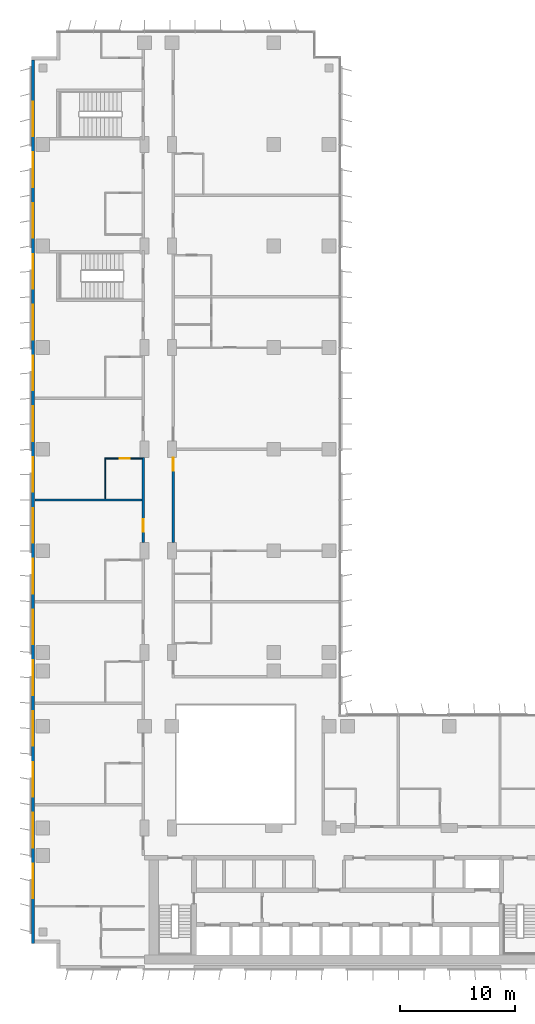
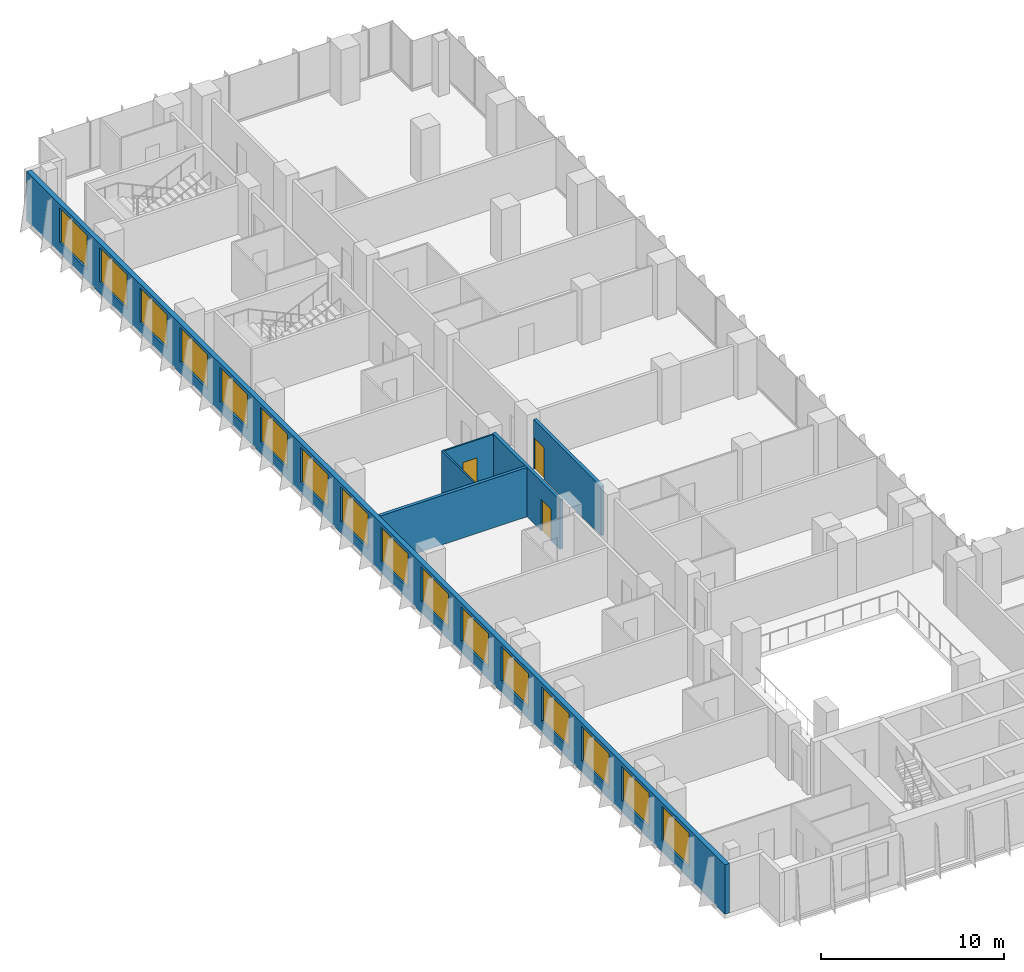
# One storey, part 15 of 22: 16 windows, 6 walls, 3 doors, 19 openings.
"""IFC4 building model written with IfcOpenShell, lengths in metres."""

from ifc_helpers import new_model, si_unit, direction, frame, frame_2d, origin, place, context, subcontext, project, spatial, rectangle, extrude, material, layer, layer_set, type_object, element, fill, save


model = new_model("IFC4")

# Units and contexts
model_context = context("Model", 3, precision=1e-05, world=origin(), true_north=direction((0.0, 1.0)))
body_context = subcontext(model_context, "Body", "Model", "MODEL_VIEW")
ifc_project = project(units=[si_unit("LENGTHUNIT", "METRE"), si_unit("AREAUNIT", "SQUARE_METRE"), si_unit("VOLUMEUNIT", "CUBIC_METRE"), si_unit("PLANEANGLEUNIT", "RADIAN"), si_unit("MASSUNIT", "GRAM", prefix="KILO")], contexts=[model_context])

# Site, building, storey
site_placement = place(None, origin())
site = spatial("IfcSite", under=ifc_project, at=site_placement, CompositionType="ELEMENT")
building_placement = place(site_placement, origin())
building = spatial("IfcBuilding", under=site, at=building_placement, Name="Kemantara Hotel Tower", CompositionType="ELEMENT")
storey_placement = place(building_placement, frame((0.0, 0.0, 98.199951171875)))
storey = spatial("IfcBuildingStorey", under=building, at=storey_placement, Name="L23", CompositionType="ELEMENT", Elevation=98.199951171875)

# Wall, openings, windows
ifc_material_1 = material(Name="Bronze anodised aluminium cladding on insulated steel stud wall", Category="steel")
ifc_layer_1 = layer(ifc_material_1, 0.300048828125)
ifc_layer_set_1 = layer_set([ifc_layer_1], Name="Bronze anodised aluminium cladding on insulated steel stud wall")
wall_type_1 = type_object("IfcWallType", Name="BRONZE METAL-CLAD EXTERNAL WALL 300", PredefinedType="STANDARD", material=ifc_layer_set_1)
wall_1_placement = place(storey_placement, frame((0.14990234375, 78.699951171875, 0.0), z_axis=(0.0, 0.0, 1.0), x_axis=(0.0, -1.0, 0.0)))
wall_1 = element("IfcWall", 1, at=wall_1_placement, inside=storey, type_object=wall_type_1, Name="EXTERNAL WALL L23 T2-R04", PredefinedType="STANDARD", context=body_context, shape_type="SweptSolid", body=[
    extrude(rectangle(XDim=76.5, YDim=0.300048828125, at=frame_2d((38.25, 0.0))), origin(), (0.0, 0.0, 1.0), 3.300048828125),
])
opening_1_placement = place(wall_1_placement, frame((3.60009765625, 0.0, 0.75)))
opening_1 = element("IfcOpeningElement", 2, at=opening_1_placement, cuts=wall_1, Name="Opening W1", PredefinedType="OPENING", context=body_context, shape_type="SweptSolid", body=[
    extrude(rectangle(XDim=3.0, YDim=2.300048828125, at=frame_2d((1.5, 1.14990234375))), frame((0.0, 0.159912109375, 0.0), z_axis=(0.0, -1.0, 0.0), x_axis=(1.0, 0.0, 0.0)), (0.0, 0.0, 1.0), 0.320068359375),
])
opening_2_placement = place(wall_1_placement, frame((8.0, 0.0, 0.75)))
opening_2 = element("IfcOpeningElement", 3, at=opening_2_placement, cuts=wall_1, Name="Opening W1", PredefinedType="OPENING", context=body_context, shape_type="SweptSolid", body=[
    extrude(rectangle(XDim=3.0, YDim=2.300048828125, at=frame_2d((1.5, 1.14990234375))), frame((0.0, 0.159912109375, 0.0), z_axis=(0.0, -1.0, 0.0), x_axis=(1.0, 0.0, 0.0)), (0.0, 0.0, 1.0), 0.320068359375),
])
opening_3_placement = place(wall_1_placement, frame((12.39990234375, 0.0, 0.75)))
opening_3 = element("IfcOpeningElement", 4, at=opening_3_placement, cuts=wall_1, Name="Opening W1", PredefinedType="OPENING", context=body_context, shape_type="SweptSolid", body=[
    extrude(rectangle(XDim=3.0, YDim=2.300048828125, at=frame_2d((1.5, 1.14990234375))), frame((0.0, 0.159912109375, 0.0), z_axis=(0.0, -1.0, 0.0), x_axis=(1.0, 0.0, 0.0)), (0.0, 0.0, 1.0), 0.320068359375),
])
opening_4_placement = place(wall_1_placement, frame((16.800048828125, 0.0, 0.75)))
opening_4 = element("IfcOpeningElement", 5, at=opening_4_placement, cuts=wall_1, Name="Opening W1", PredefinedType="OPENING", context=body_context, shape_type="SweptSolid", body=[
    extrude(rectangle(XDim=3.0, YDim=2.300048828125, at=frame_2d((1.5, 1.14990234375))), frame((0.0, 0.159912109375, 0.0), z_axis=(0.0, -1.0, 0.0), x_axis=(1.0, 0.0, 0.0)), (0.0, 0.0, 1.0), 0.320068359375),
])
opening_5_placement = place(wall_1_placement, frame((21.199951171875, 0.0, 0.75)))
opening_5 = element("IfcOpeningElement", 6, at=opening_5_placement, cuts=wall_1, Name="Opening W1", PredefinedType="OPENING", context=body_context, shape_type="SweptSolid", body=[
    extrude(rectangle(XDim=3.0, YDim=2.300048828125, at=frame_2d((1.5, 1.14990234375))), frame((0.0, 0.159912109375, 0.0), z_axis=(0.0, -1.0, 0.0), x_axis=(1.0, 0.0, 0.0)), (0.0, 0.0, 1.0), 0.320068359375),
])
opening_6_placement = place(wall_1_placement, frame((25.60009765625, 0.0, 0.75)))
opening_6 = element("IfcOpeningElement", 7, at=opening_6_placement, cuts=wall_1, Name="Opening W1", PredefinedType="OPENING", context=body_context, shape_type="SweptSolid", body=[
    extrude(rectangle(XDim=3.0, YDim=2.300048828125, at=frame_2d((1.5, 1.14990234375))), frame((0.0, 0.159912109375, 0.0), z_axis=(0.0, -1.0, 0.0), x_axis=(1.0, 0.0, 0.0)), (0.0, 0.0, 1.0), 0.320068359375),
])
opening_7_placement = place(wall_1_placement, frame((30.0, 0.0, 0.75)))
opening_7 = element("IfcOpeningElement", 8, at=opening_7_placement, cuts=wall_1, Name="Opening W1", PredefinedType="OPENING", context=body_context, shape_type="SweptSolid", body=[
    extrude(rectangle(XDim=3.0, YDim=2.300048828125, at=frame_2d((1.5, 1.14990234375))), frame((0.0, 0.159912109375, 0.0), z_axis=(0.0, -1.0, 0.0), x_axis=(1.0, 0.0, 0.0)), (0.0, 0.0, 1.0), 0.320068359375),
])
opening_8_placement = place(wall_1_placement, frame((34.39990234375, 0.0, 0.75)))
opening_8 = element("IfcOpeningElement", 9, at=opening_8_placement, cuts=wall_1, Name="Opening W1", PredefinedType="OPENING", context=body_context, shape_type="SweptSolid", body=[
    extrude(rectangle(XDim=3.0, YDim=2.300048828125, at=frame_2d((1.5, 1.14990234375))), frame((0.0, 0.159912109375, 0.0), z_axis=(0.0, -1.0, 0.0), x_axis=(1.0, 0.0, 0.0)), (0.0, 0.0, 1.0), 0.320068359375),
])
opening_9_placement = place(wall_1_placement, frame((38.800048828125, 0.0, 0.75)))
opening_9 = element("IfcOpeningElement", 10, at=opening_9_placement, cuts=wall_1, Name="Opening W1", PredefinedType="OPENING", context=body_context, shape_type="SweptSolid", body=[
    extrude(rectangle(XDim=3.0, YDim=2.300048828125, at=frame_2d((1.5, 1.14990234375))), frame((0.0, 0.159912109375, 0.0), z_axis=(0.0, -1.0, 0.0), x_axis=(1.0, 0.0, 0.0)), (0.0, 0.0, 1.0), 0.320068359375),
])
opening_10_placement = place(wall_1_placement, frame((43.199951171875, 0.0, 0.75)))
opening_10 = element("IfcOpeningElement", 11, at=opening_10_placement, cuts=wall_1, Name="Opening W1", PredefinedType="OPENING", context=body_context, shape_type="SweptSolid", body=[
    extrude(rectangle(XDim=3.0, YDim=2.300048828125, at=frame_2d((1.5, 1.14990234375))), frame((0.0, 0.159912109375, 0.0), z_axis=(0.0, -1.0, 0.0), x_axis=(1.0, 0.0, 0.0)), (0.0, 0.0, 1.0), 0.320068359375),
])
opening_11_placement = place(wall_1_placement, frame((47.60009765625, 0.0, 0.75)))
opening_11 = element("IfcOpeningElement", 12, at=opening_11_placement, cuts=wall_1, Name="Opening W1", PredefinedType="OPENING", context=body_context, shape_type="SweptSolid", body=[
    extrude(rectangle(XDim=3.0, YDim=2.300048828125, at=frame_2d((1.5, 1.14990234375))), frame((0.0, 0.159912109375, 0.0), z_axis=(0.0, -1.0, 0.0), x_axis=(1.0, 0.0, 0.0)), (0.0, 0.0, 1.0), 0.320068359375),
])
opening_12_placement = place(wall_1_placement, frame((52.0, 0.0, 0.75)))
opening_12 = element("IfcOpeningElement", 13, at=opening_12_placement, cuts=wall_1, Name="Opening W1", PredefinedType="OPENING", context=body_context, shape_type="SweptSolid", body=[
    extrude(rectangle(XDim=3.0, YDim=2.300048828125, at=frame_2d((1.5, 1.14990234375))), frame((0.0, 0.159912109375, 0.0), z_axis=(0.0, -1.0, 0.0), x_axis=(1.0, 0.0, 0.0)), (0.0, 0.0, 1.0), 0.320068359375),
])
opening_13_placement = place(wall_1_placement, frame((56.39990234375, 0.0, 0.75)))
opening_13 = element("IfcOpeningElement", 14, at=opening_13_placement, cuts=wall_1, Name="Opening W1", PredefinedType="OPENING", context=body_context, shape_type="SweptSolid", body=[
    extrude(rectangle(XDim=3.0, YDim=2.300048828125, at=frame_2d((1.5, 1.14990234375))), frame((0.0, 0.159912109375, 0.0), z_axis=(0.0, -1.0, 0.0), x_axis=(1.0, 0.0, 0.0)), (0.0, 0.0, 1.0), 0.320068359375),
])
opening_14_placement = place(wall_1_placement, frame((60.800048828125, 0.0, 0.75)))
opening_14 = element("IfcOpeningElement", 15, at=opening_14_placement, cuts=wall_1, Name="Opening W1", PredefinedType="OPENING", context=body_context, shape_type="SweptSolid", body=[
    extrude(rectangle(XDim=3.0, YDim=2.300048828125, at=frame_2d((1.5, 1.14990234375))), frame((0.0, 0.159912109375, 0.0), z_axis=(0.0, -1.0, 0.0), x_axis=(1.0, 0.0, 0.0)), (0.0, 0.0, 1.0), 0.320068359375),
])
opening_15_placement = place(wall_1_placement, frame((65.199951171875, 0.0, 0.75)))
opening_15 = element("IfcOpeningElement", 16, at=opening_15_placement, cuts=wall_1, Name="Opening W1", PredefinedType="OPENING", context=body_context, shape_type="SweptSolid", body=[
    extrude(rectangle(XDim=3.0, YDim=2.300048828125, at=frame_2d((1.5, 1.14990234375))), frame((0.0, 0.159912109375, 0.0), z_axis=(0.0, -1.0, 0.0), x_axis=(1.0, 0.0, 0.0)), (0.0, 0.0, 1.0), 0.320068359375),
])
opening_16_placement = place(wall_1_placement, frame((69.60009765625, 0.0, 0.75)))
opening_16 = element("IfcOpeningElement", 17, at=opening_16_placement, cuts=wall_1, Name="Opening W1", PredefinedType="OPENING", context=body_context, shape_type="SweptSolid", body=[
    extrude(rectangle(XDim=3.0, YDim=2.300048828125, at=frame_2d((1.5, 1.14990234375))), frame((0.0, 0.159912109375, 0.0), z_axis=(0.0, -1.0, 0.0), x_axis=(1.0, 0.0, 0.0)), (0.0, 0.0, 1.0), 0.320068359375),
])
ifc_material_2 = material(Name="Low-E tinted double insulated glass in bronze anodised aluminium frame", Category="aluminium")
window_type = type_object("IfcWindowType", Name="CHICAGO WINDOW, TRIPLE PANEL 3000x2300", PartitioningType="TRIPLE_PANEL_VERTICAL", PredefinedType="WINDOW", material=ifc_material_2)
window_1_placement = place(opening_1_placement, origin())
window_1 = element("IfcWindow", 18, at=window_1_placement, inside=storey, type_object=window_type, Name="CHICAGO WINDOW L23 T2-R04-54", OverallHeight=2.300048828125, OverallWidth=3.0, PartitioningType="SINGLE_PANEL", PredefinedType="WINDOW", context=body_context, shape_type="SweptSolid", body=[
    extrude(rectangle(XDim=3.0, YDim=2.300048828125, at=frame_2d((1.5, 1.14990234375))), frame((0.0, 0.030029296875, 0.0), z_axis=(0.0, -1.0, 0.0), x_axis=(1.0, 0.0, 0.0)), (0.0, 0.0, 1.0), 0.06005859375),
])
fill(opening_1, window_1)
window_2_placement = place(opening_2_placement, origin())
window_2 = element("IfcWindow", 19, at=window_2_placement, inside=storey, type_object=window_type, Name="CHICAGO WINDOW L23 T2-R04-98", OverallHeight=2.300048828125, OverallWidth=3.0, PartitioningType="SINGLE_PANEL", PredefinedType="WINDOW", context=body_context, shape_type="SweptSolid", body=[
    extrude(rectangle(XDim=3.0, YDim=2.300048828125, at=frame_2d((1.5, 1.14990234375))), frame((0.0, 0.030029296875, 0.0), z_axis=(0.0, -1.0, 0.0), x_axis=(1.0, 0.0, 0.0)), (0.0, 0.0, 1.0), 0.06005859375),
])
fill(opening_2, window_2)
window_3_placement = place(opening_3_placement, origin())
window_3 = element("IfcWindow", 20, at=window_3_placement, inside=storey, type_object=window_type, Name="CHICAGO WINDOW L23 T2-R04-142", OverallHeight=2.300048828125, OverallWidth=3.0, PartitioningType="SINGLE_PANEL", PredefinedType="WINDOW", context=body_context, shape_type="SweptSolid", body=[
    extrude(rectangle(XDim=3.0, YDim=2.300048828125, at=frame_2d((1.5, 1.14990234375))), frame((0.0, 0.030029296875, 0.0), z_axis=(0.0, -1.0, 0.0), x_axis=(1.0, 0.0, 0.0)), (0.0, 0.0, 1.0), 0.06005859375),
])
fill(opening_3, window_3)
window_4_placement = place(opening_4_placement, origin())
window_4 = element("IfcWindow", 21, at=window_4_placement, inside=storey, type_object=window_type, Name="CHICAGO WINDOW L23 T2-R04-186", OverallHeight=2.300048828125, OverallWidth=3.0, PartitioningType="SINGLE_PANEL", PredefinedType="WINDOW", context=body_context, shape_type="SweptSolid", body=[
    extrude(rectangle(XDim=3.0, YDim=2.300048828125, at=frame_2d((1.5, 1.14990234375))), frame((0.0, 0.030029296875, 0.0), z_axis=(0.0, -1.0, 0.0), x_axis=(1.0, 0.0, 0.0)), (0.0, 0.0, 1.0), 0.06005859375),
])
fill(opening_4, window_4)
window_5_placement = place(opening_5_placement, origin())
window_5 = element("IfcWindow", 22, at=window_5_placement, inside=storey, type_object=window_type, Name="CHICAGO WINDOW L23 T2-R04-230", OverallHeight=2.300048828125, OverallWidth=3.0, PartitioningType="SINGLE_PANEL", PredefinedType="WINDOW", context=body_context, shape_type="SweptSolid", body=[
    extrude(rectangle(XDim=3.0, YDim=2.300048828125, at=frame_2d((1.5, 1.14990234375))), frame((0.0, 0.030029296875, 0.0), z_axis=(0.0, -1.0, 0.0), x_axis=(1.0, 0.0, 0.0)), (0.0, 0.0, 1.0), 0.06005859375),
])
fill(opening_5, window_5)
window_6_placement = place(opening_6_placement, origin())
window_6 = element("IfcWindow", 23, at=window_6_placement, inside=storey, type_object=window_type, Name="CHICAGO WINDOW L23 T2-R04-274", OverallHeight=2.300048828125, OverallWidth=3.0, PartitioningType="SINGLE_PANEL", PredefinedType="WINDOW", context=body_context, shape_type="SweptSolid", body=[
    extrude(rectangle(XDim=3.0, YDim=2.300048828125, at=frame_2d((1.5, 1.14990234375))), frame((0.0, 0.030029296875, 0.0), z_axis=(0.0, -1.0, 0.0), x_axis=(1.0, 0.0, 0.0)), (0.0, 0.0, 1.0), 0.06005859375),
])
fill(opening_6, window_6)
window_7_placement = place(opening_7_placement, origin())
window_7 = element("IfcWindow", 24, at=window_7_placement, inside=storey, type_object=window_type, Name="CHICAGO WINDOW L23 T2-R04-318", OverallHeight=2.300048828125, OverallWidth=3.0, PartitioningType="SINGLE_PANEL", PredefinedType="WINDOW", context=body_context, shape_type="SweptSolid", body=[
    extrude(rectangle(XDim=3.0, YDim=2.300048828125, at=frame_2d((1.5, 1.14990234375))), frame((0.0, 0.030029296875, 0.0), z_axis=(0.0, -1.0, 0.0), x_axis=(1.0, 0.0, 0.0)), (0.0, 0.0, 1.0), 0.06005859375),
])
fill(opening_7, window_7)
window_8_placement = place(opening_8_placement, origin())
window_8 = element("IfcWindow", 25, at=window_8_placement, inside=storey, type_object=window_type, Name="CHICAGO WINDOW L23 T2-R04-362", OverallHeight=2.300048828125, OverallWidth=3.0, PartitioningType="SINGLE_PANEL", PredefinedType="WINDOW", context=body_context, shape_type="SweptSolid", body=[
    extrude(rectangle(XDim=3.0, YDim=2.300048828125, at=frame_2d((1.5, 1.14990234375))), frame((0.0, 0.030029296875, 0.0), z_axis=(0.0, -1.0, 0.0), x_axis=(1.0, 0.0, 0.0)), (0.0, 0.0, 1.0), 0.06005859375),
])
fill(opening_8, window_8)
window_9_placement = place(opening_9_placement, origin())
window_9 = element("IfcWindow", 26, at=window_9_placement, inside=storey, type_object=window_type, Name="CHICAGO WINDOW L23 T2-R04-406", OverallHeight=2.300048828125, OverallWidth=3.0, PartitioningType="SINGLE_PANEL", PredefinedType="WINDOW", context=body_context, shape_type="SweptSolid", body=[
    extrude(rectangle(XDim=3.0, YDim=2.300048828125, at=frame_2d((1.5, 1.14990234375))), frame((0.0, 0.030029296875, 0.0), z_axis=(0.0, -1.0, 0.0), x_axis=(1.0, 0.0, 0.0)), (0.0, 0.0, 1.0), 0.06005859375),
])
fill(opening_9, window_9)
window_10_placement = place(opening_10_placement, origin())
window_10 = element("IfcWindow", 27, at=window_10_placement, inside=storey, type_object=window_type, Name="CHICAGO WINDOW L23 T2-R04-450", OverallHeight=2.300048828125, OverallWidth=3.0, PartitioningType="SINGLE_PANEL", PredefinedType="WINDOW", context=body_context, shape_type="SweptSolid", body=[
    extrude(rectangle(XDim=3.0, YDim=2.300048828125, at=frame_2d((1.5, 1.14990234375))), frame((0.0, 0.030029296875, 0.0), z_axis=(0.0, -1.0, 0.0), x_axis=(1.0, 0.0, 0.0)), (0.0, 0.0, 1.0), 0.06005859375),
])
fill(opening_10, window_10)
window_11_placement = place(opening_11_placement, origin())
window_11 = element("IfcWindow", 28, at=window_11_placement, inside=storey, type_object=window_type, Name="CHICAGO WINDOW L23 T2-R04-494", OverallHeight=2.300048828125, OverallWidth=3.0, PartitioningType="SINGLE_PANEL", PredefinedType="WINDOW", context=body_context, shape_type="SweptSolid", body=[
    extrude(rectangle(XDim=3.0, YDim=2.300048828125, at=frame_2d((1.5, 1.14990234375))), frame((0.0, 0.030029296875, 0.0), z_axis=(0.0, -1.0, 0.0), x_axis=(1.0, 0.0, 0.0)), (0.0, 0.0, 1.0), 0.06005859375),
])
fill(opening_11, window_11)
window_12_placement = place(opening_12_placement, origin())
window_12 = element("IfcWindow", 29, at=window_12_placement, inside=storey, type_object=window_type, Name="CHICAGO WINDOW L23 T2-R04-538", OverallHeight=2.300048828125, OverallWidth=3.0, PartitioningType="SINGLE_PANEL", PredefinedType="WINDOW", context=body_context, shape_type="SweptSolid", body=[
    extrude(rectangle(XDim=3.0, YDim=2.300048828125, at=frame_2d((1.5, 1.14990234375))), frame((0.0, 0.030029296875, 0.0), z_axis=(0.0, -1.0, 0.0), x_axis=(1.0, 0.0, 0.0)), (0.0, 0.0, 1.0), 0.06005859375),
])
fill(opening_12, window_12)
window_13_placement = place(opening_13_placement, origin())
window_13 = element("IfcWindow", 30, at=window_13_placement, inside=storey, type_object=window_type, Name="CHICAGO WINDOW L23 T2-R04-582", OverallHeight=2.300048828125, OverallWidth=3.0, PartitioningType="SINGLE_PANEL", PredefinedType="WINDOW", context=body_context, shape_type="SweptSolid", body=[
    extrude(rectangle(XDim=3.0, YDim=2.300048828125, at=frame_2d((1.5, 1.14990234375))), frame((0.0, 0.030029296875, 0.0), z_axis=(0.0, -1.0, 0.0), x_axis=(1.0, 0.0, 0.0)), (0.0, 0.0, 1.0), 0.06005859375),
])
fill(opening_13, window_13)
window_14_placement = place(opening_14_placement, origin())
window_14 = element("IfcWindow", 31, at=window_14_placement, inside=storey, type_object=window_type, Name="CHICAGO WINDOW L23 T2-R04-626", OverallHeight=2.300048828125, OverallWidth=3.0, PartitioningType="SINGLE_PANEL", PredefinedType="WINDOW", context=body_context, shape_type="SweptSolid", body=[
    extrude(rectangle(XDim=3.0, YDim=2.300048828125, at=frame_2d((1.5, 1.14990234375))), frame((0.0, 0.030029296875, 0.0), z_axis=(0.0, -1.0, 0.0), x_axis=(1.0, 0.0, 0.0)), (0.0, 0.0, 1.0), 0.06005859375),
])
fill(opening_14, window_14)
window_15_placement = place(opening_15_placement, origin())
window_15 = element("IfcWindow", 32, at=window_15_placement, inside=storey, type_object=window_type, Name="CHICAGO WINDOW L23 T2-R04-670", OverallHeight=2.300048828125, OverallWidth=3.0, PartitioningType="SINGLE_PANEL", PredefinedType="WINDOW", context=body_context, shape_type="SweptSolid", body=[
    extrude(rectangle(XDim=3.0, YDim=2.300048828125, at=frame_2d((1.5, 1.14990234375))), frame((0.0, 0.030029296875, 0.0), z_axis=(0.0, -1.0, 0.0), x_axis=(1.0, 0.0, 0.0)), (0.0, 0.0, 1.0), 0.06005859375),
])
fill(opening_15, window_15)
window_16_placement = place(opening_16_placement, origin())
window_16 = element("IfcWindow", 33, at=window_16_placement, inside=storey, type_object=window_type, Name="CHICAGO WINDOW L23 T2-R04-714", OverallHeight=2.300048828125, OverallWidth=3.0, PartitioningType="SINGLE_PANEL", PredefinedType="WINDOW", context=body_context, shape_type="SweptSolid", body=[
    extrude(rectangle(XDim=3.0, YDim=2.300048828125, at=frame_2d((1.5, 1.14990234375))), frame((0.0, 0.030029296875, 0.0), z_axis=(0.0, -1.0, 0.0), x_axis=(1.0, 0.0, 0.0)), (0.0, 0.0, 1.0), 0.06005859375),
])
fill(opening_16, window_16)

# Wall, opening, door
ifc_material_3 = material(Name="Gypsum board partition, steel studs and mineral wool, 200 mm", Category="steel")
ifc_layer_2 = layer(ifc_material_3, 0.199951171875)
ifc_layer_set_2 = layer_set([ifc_layer_2], Name="Gypsum board partition, steel studs and mineral wool, 200 mm")
wall_type_2 = type_object("IfcWallType", Name="CORRIDOR WALL 200", PredefinedType="PARTITIONING", material=ifc_layer_set_2)
wall_2_placement = place(storey_placement, frame((9.699951171875, 36.900146484375, 0.0), z_axis=(0.0, 0.0, 1.0), x_axis=(0.0, 1.0, 0.0)))
wall_2 = element("IfcWall", 34, at=wall_2_placement, inside=storey, type_object=wall_type_2, Name="CORRIDOR WALL 200 019", PredefinedType="PARTITIONING", context=body_context, shape_type="SweptSolid", body=[
    extrude(rectangle(XDim=7.399658203125, YDim=0.199951171875, at=frame_2d((3.69970703125, 0.0))), origin(), (0.0, 0.0, 1.0), 3.300048828125),
])
opening_17_placement = place(wall_2_placement, frame((0.949951171875, 0.0, 0.0)))
opening_17 = element("IfcOpeningElement", 35, at=opening_17_placement, cuts=wall_2, Name="Opening F09-023", PredefinedType="OPENING", context=body_context, shape_type="SweptSolid", body=[
    extrude(rectangle(XDim=1.10009765625, YDim=2.10009765625, at=frame_2d((0.550048828125, 1.050048828125))), frame((0.0, 0.10986328125, 0.0), z_axis=(0.0, -1.0, 0.0), x_axis=(1.0, 0.0, 0.0)), (0.0, 0.0, 1.0), 0.219970703125),
])
ifc_material_4 = material(Name="Hardwood veneer door leaf with steel frame", Category="steel")
door_type_1 = type_object("IfcDoorType", Name="SUITE ENTRANCE DOOR 1100 X 2100 FD30S", OperationType="NOTDEFINED", PredefinedType="DOOR", material=ifc_material_4)
door_1_placement = place(opening_17_placement, origin())
door_1 = element("IfcDoor", 36, at=door_1_placement, inside=storey, type_object=door_type_1, Name="SUITE ENTRANCE DOOR F09-023", OperationType="SINGLE_SWING_RIGHT", OverallHeight=2.10009765625, OverallWidth=1.10009765625, PredefinedType="DOOR", context=body_context, shape_type="SweptSolid", body=[
    extrude(rectangle(XDim=1.10009765625, YDim=2.10009765625, at=frame_2d((0.550048828125, 1.050048828125))), frame((0.0, 0.02490234375, 0.0), z_axis=(0.0, -1.0, 0.0), x_axis=(1.0, 0.0, 0.0)), (0.0, 0.0, 1.0), 0.050048828125),
])
fill(opening_17, door_1)

wall_3_placement = place(storey_placement, frame((12.300048828125, 44.2998046875, 0.0), z_axis=(0.0, 0.0, 1.0), x_axis=(0.0, -1.0, 0.0)))
wall_3 = element("IfcWall", 37, at=wall_3_placement, inside=storey, type_object=wall_type_2, Name="CORRIDOR WALL 200 032", PredefinedType="PARTITIONING", context=body_context, shape_type="SweptSolid", body=[
    extrude(rectangle(XDim=7.399658203125, YDim=0.199951171875, at=frame_2d((3.69970703125, 0.0))), origin(), (0.0, 0.0, 1.0), 3.300048828125),
])
opening_18_placement = place(wall_3_placement, frame((0.0498046875, 0.0, 0.0)))
opening_18 = element("IfcOpeningElement", 38, at=opening_18_placement, cuts=wall_3, Name="Opening F09-035", PredefinedType="OPENING", context=body_context, shape_type="SweptSolid", body=[
    extrude(rectangle(XDim=1.10009765625, YDim=2.10009765625, at=frame_2d((0.550048828125, 1.050048828125))), frame((0.0, 0.10986328125, 0.0), z_axis=(0.0, -1.0, 0.0), x_axis=(1.0, 0.0, 0.0)), (0.0, 0.0, 1.0), 0.219970703125),
])
door_2_placement = place(opening_18_placement, origin())
door_2 = element("IfcDoor", 39, at=door_2_placement, inside=storey, type_object=door_type_1, Name="SUITE ENTRANCE DOOR F09-035", OperationType="SINGLE_SWING_LEFT", OverallHeight=2.10009765625, OverallWidth=1.10009765625, PredefinedType="DOOR", context=body_context, shape_type="SweptSolid", body=[
    extrude(rectangle(XDim=1.10009765625, YDim=2.10009765625, at=frame_2d((0.550048828125, 1.050048828125))), frame((0.0, 0.02490234375, 0.0), z_axis=(0.0, -1.0, 0.0), x_axis=(1.0, 0.0, 0.0)), (0.0, 0.0, 1.0), 0.050048828125),
])
fill(opening_18, door_2)

# Walls
ifc_layer_3 = layer(ifc_material_3, 0.199951171875)
ifc_layer_set_3 = layer_set([ifc_layer_3], Name="Gypsum board partition, steel studs and mineral wool, 200 mm")
wall_type_3 = type_object("IfcWallType", Name="GUEST ROOM PARTY WALL 200", PredefinedType="PARTITIONING", material=ifc_layer_set_3)
wall_4_placement = place(storey_placement, frame((0.31005859375, 40.60009765625, 0.0), z_axis=(0.0, 0.0, 1.0), x_axis=(1.0, 0.0, 0.0)))
element("IfcWall", 40, at=wall_4_placement, inside=storey, type_object=wall_type_3, Name="GUEST ROOM PARTY WALL 200 028", PredefinedType="PARTITIONING", context=body_context, shape_type="SweptSolid", body=[
    extrude(rectangle(XDim=9.2900390625, YDim=0.199951171875, at=frame_2d((4.64501953125, 0.0))), origin(), (0.0, 0.0, 1.0), 3.300048828125),
])
ifc_material_5 = material(Name="Gypsum board partition on steel studs, 100 mm", Category="steel")
ifc_layer_4 = layer(ifc_material_5, 0.10009765625)
ifc_layer_set_4 = layer_set([ifc_layer_4], Name="Gypsum board partition on steel studs, 100 mm")
wall_type_4 = type_object("IfcWallType", Name="ROOM PARTITION 100", PredefinedType="PARTITIONING", material=ifc_layer_set_4)
wall_5_placement = place(storey_placement, frame((6.39990234375, 40.699951171875, 0.0), z_axis=(0.0, 0.0, 1.0), x_axis=(0.0, 1.0, 0.0)))
element("IfcWall", 41, at=wall_5_placement, inside=storey, type_object=wall_type_4, Name="ROOM PARTITION 100 066", PredefinedType="PARTITIONING", context=body_context, shape_type="SweptSolid", body=[
    extrude(rectangle(XDim=3.550048828125, YDim=0.10009765625, at=frame_2d((1.77490234375, 0.0))), origin(), (0.0, 0.0, 1.0), 3.300048828125),
])

# Wall, opening, door
wall_6_placement = place(storey_placement, frame((9.60009765625, 44.199951171875, 0.0), z_axis=(0.0, 0.0, 1.0), x_axis=(-1.0, 0.0, 0.0)))
wall_6 = element("IfcWall", 42, at=wall_6_placement, inside=storey, type_object=wall_type_4, Name="ROOM PARTITION 100 072", PredefinedType="PARTITIONING", context=body_context, shape_type="SweptSolid", body=[
    extrude(rectangle(XDim=3.150146484375, YDim=0.10009765625, at=frame_2d((1.5751953125, 0.0))), origin(), (0.0, 0.0, 1.0), 3.300048828125),
])
opening_19_placement = place(wall_6_placement, frame((1.050048828125, 0.0, 0.0)))
opening_19 = element("IfcOpeningElement", 43, at=opening_19_placement, cuts=wall_6, Name="Opening F09-026", PredefinedType="OPENING", context=body_context, shape_type="SweptSolid", body=[
    extrude(rectangle(XDim=0.89990234375, YDim=2.10009765625, at=frame_2d((0.449951171875, 1.050048828125))), frame((0.0, 0.06005859375, 0.0), z_axis=(0.0, -1.0, 0.0), x_axis=(1.0, 0.0, 0.0)), (0.0, 0.0, 1.0), 0.1201171875),
])
door_type_2 = type_object("IfcDoorType", Name="BATHROOM DOOR 900 X 2100", OperationType="NOTDEFINED", PredefinedType="DOOR", material=ifc_material_4)
door_3_placement = place(opening_19_placement, origin())
door_3 = element("IfcDoor", 44, at=door_3_placement, inside=storey, type_object=door_type_2, Name="BATHROOM DOOR F09-026", OperationType="SINGLE_SWING_LEFT", OverallHeight=2.10009765625, OverallWidth=0.89990234375, PredefinedType="DOOR", context=body_context, shape_type="SweptSolid", body=[
    extrude(rectangle(XDim=0.89990234375, YDim=2.10009765625, at=frame_2d((0.449951171875, 1.050048828125))), frame((0.0, 0.02490234375, 0.0), z_axis=(0.0, -1.0, 0.0), x_axis=(1.0, 0.0, 0.0)), (0.0, 0.0, 1.0), 0.050048828125),
])
fill(opening_19, door_3)

save(model, "model.ifc")
